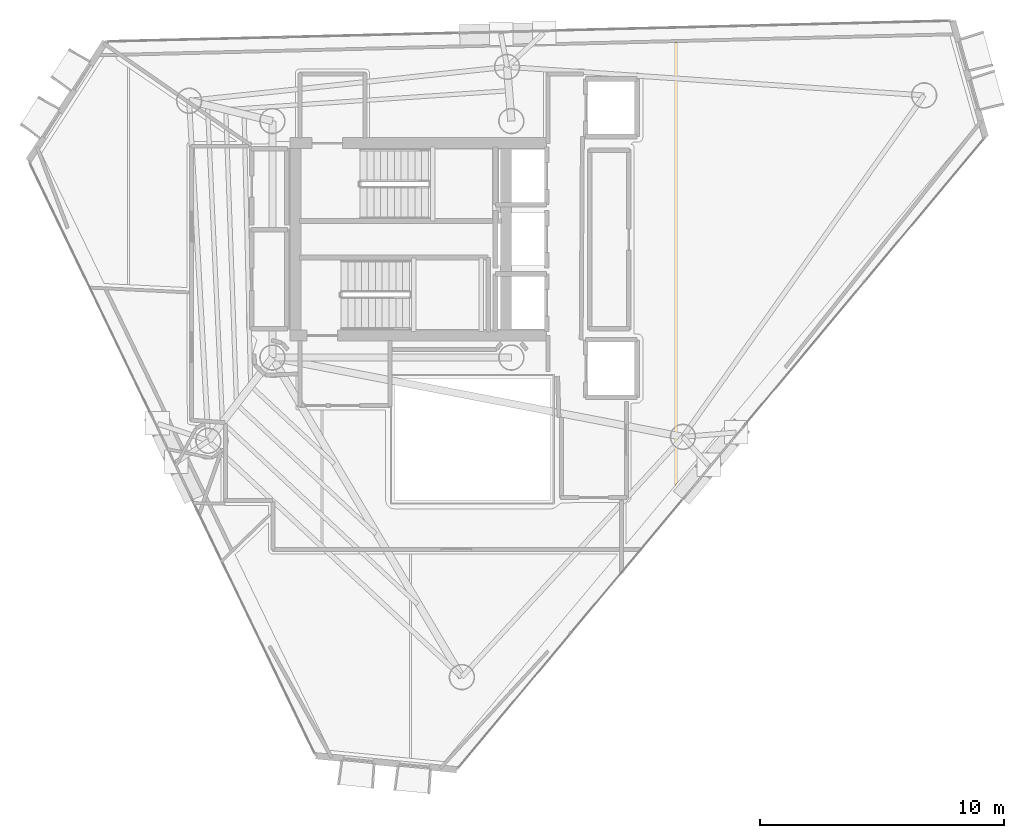
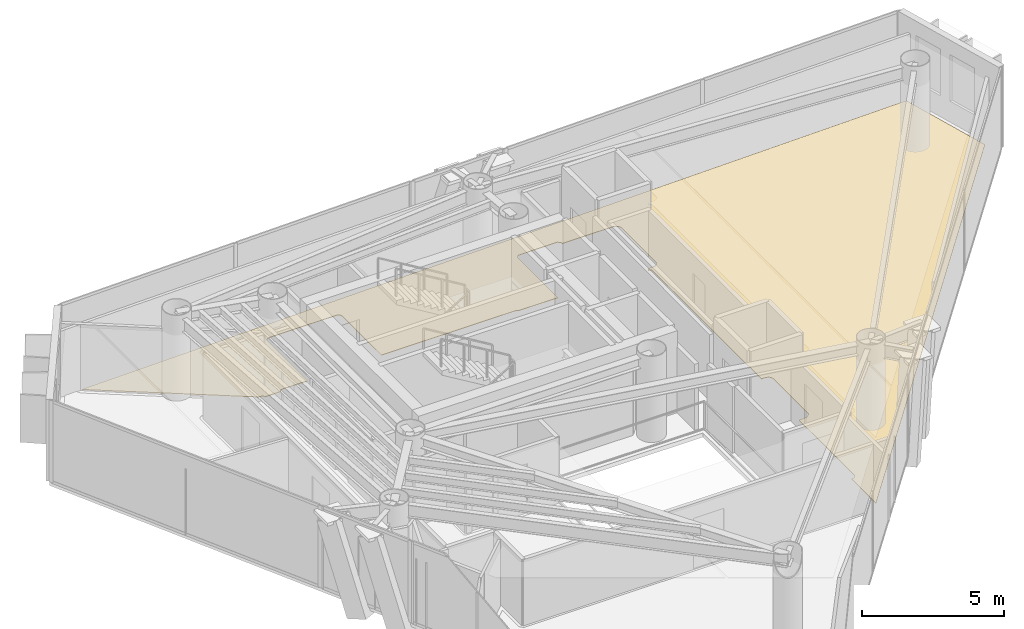
# One storey, part 19 of 20: 1 covering.
"""IFC4 building model written with IfcOpenShell, lengths in metres."""

from ifc_helpers import new_model, si_unit, direction, frame, origin, place, context, subcontext, project, spatial, polyline, outline, extrude, material, layer, layer_set, type_object, element, save


model = new_model("IFC4")

# Units and contexts
model_context = context("Model", 3, precision=1e-05, world=origin(), true_north=direction((0.0, 1.0)))
body_context = subcontext(model_context, "Body", "Model", "MODEL_VIEW")
ifc_project = project(units=[si_unit("LENGTHUNIT", "METRE"), si_unit("AREAUNIT", "SQUARE_METRE"), si_unit("VOLUMEUNIT", "CUBIC_METRE"), si_unit("PLANEANGLEUNIT", "RADIAN"), si_unit("MASSUNIT", "GRAM", prefix="KILO")], contexts=[model_context])

# Site, building, storey
site_placement = place(None, origin())
site = spatial("IfcSite", under=ifc_project, at=site_placement, CompositionType="ELEMENT")
building_placement = place(site_placement, origin())
building = spatial("IfcBuilding", under=site, at=building_placement, Name="Qianvela Tower", CompositionType="ELEMENT")
storey_placement = place(building_placement, frame((0.0, 0.0, 257.5)))
storey = spatial("IfcBuildingStorey", under=building, at=storey_placement, Name="L66", CompositionType="ELEMENT", Elevation=257.5)

# Covering
ifc_material = material(Name="Engineered Acoustic Oak Timber Flooring", Category="wood")
ifc_layer = layer(ifc_material, 0.02001953125)
ifc_layer_set = layer_set([ifc_layer], Name="Engineered Acoustic Oak Timber Flooring")
covering_type = type_object("IfcCoveringType", Name="COV-FLOOR-OAK-20", PredefinedType="FLOORING", material=ifc_layer_set)
covering_placement = place(storey_placement, origin())
element("IfcCovering", 1, at=covering_placement, inside=storey, type_object=covering_type, Name="L66 Finish Flooring Project Huddle Conference L66-02", PredefinedType="FLOORING", context=body_context, shape_type="SweptSolid", body=[
    extrude(outline(polyline([(29.5400390625, 32.700439453125), (28.54296875, 32.709716796875), (28.53662109375, 32.70947265625), (28.530029296875, 32.708740234375), (28.4677734375, 32.69921875), (28.460205078125, 32.697509765625), (28.452880859375, 32.6953125), (28.446044921875, 32.6923828125), (28.439208984375, 32.688720703125), (28.432861328125, 32.6845703125), (28.427001953125, 32.6796875), (28.42138671875, 32.674560546875), (28.41650390625, 32.668701171875), (28.412109375, 32.662353515625), (28.408447265625, 32.65576171875), (28.405517578125, 32.648681640625), (28.403076171875, 32.6416015625), (28.4013671875, 32.634033203125), (28.400390625, 32.62646484375), (28.39892578125, 32.609619140625), (27.754150390625, 32.607421875), (27.73876953125, 32.646240234375), (27.7353515625, 32.6533203125), (27.7314453125, 32.660400390625), (27.726806640625, 32.666748046875), (27.72119140625, 32.6728515625), (27.71533203125, 32.67822265625), (27.708984375, 32.68310546875), (27.7021484375, 32.68701171875), (27.69482421875, 32.6904296875), (27.6875, 32.693115234375), (27.6796875, 32.695068359375), (27.671630859375, 32.6962890625), (27.5439453125, 32.707763671875), (22.398681640625, 36.210693359375), (22.39208984375, 36.222900390625), (56.384521484375, 37.057861328125), (57.433349609375, 33.335693359375), (43.109619140625, 16.197021484375), (43.107421875, 17.923095703125), (43.183837890625, 17.92626953125), (43.19140625, 17.9267578125), (43.19873046875, 17.92822265625), (43.2060546875, 17.93017578125), (43.212890625, 17.932861328125), (43.2197265625, 17.936279296875), (43.22607421875, 17.940185546875), (43.232177734375, 17.94482421875), (43.237548828125, 17.949951171875), (43.24267578125, 17.95556640625), (43.2470703125, 17.961669921875), (43.29638671875, 18.03564453125), (43.300537109375, 18.042236328125), (43.303955078125, 18.04931640625), (43.306640625, 18.056884765625), (43.30859375, 18.064453125), (43.3095703125, 18.072265625), (43.31005859375, 18.080078125), (43.31005859375, 21.97314453125), (43.623779296875, 21.986083984375), (43.6318359375, 21.98681640625), (43.6396484375, 21.98828125), (43.647216796875, 21.990478515625), (43.654541015625, 21.99365234375), (43.66162109375, 21.997314453125), (43.668212890625, 22.001708984375), (43.67431640625, 22.006591796875), (43.679931640625, 22.01220703125), (43.776611328125, 22.118896484375), (43.781982421875, 22.12548828125), (43.78662109375, 22.132568359375), (43.790283203125, 22.139892578125), (43.79345703125, 22.14794921875), (43.79541015625, 22.156005859375), (43.796875, 22.164306640625), (43.79736328125, 22.172607421875), (43.79736328125, 24.627197265625), (43.797119140625, 24.634521484375), (43.7958984375, 24.6416015625), (43.79443359375, 24.648681640625), (43.792236328125, 24.655517578125), (43.789306640625, 24.662109375), (43.785888671875, 24.66845703125), (43.7373046875, 24.749267578125), (43.732666015625, 24.75634765625), (43.727294921875, 24.762939453125), (43.72119140625, 24.768798828125), (43.71435546875, 24.77392578125), (43.70703125, 24.778564453125), (43.699462890625, 24.781982421875), (43.624267578125, 24.813232421875), (43.616943359375, 24.81591796875), (43.609375, 24.81787109375), (43.6015625, 24.81884765625), (43.59375, 24.8193359375), (43.423828125, 24.8193359375), (43.423828125, 24.8193359375), (43.426513671875, 24.826904296875), (43.428466796875, 24.83447265625), (43.4296875, 24.84228515625), (43.429931640625, 24.85009765625), (43.429931640625, 32.5), (43.4296875, 32.5078125), (43.428466796875, 32.515625), (43.426513671875, 32.523193359375), (43.423828125, 32.530517578125), (43.420654296875, 32.53759765625), (43.41650390625, 32.54443359375), (43.411865234375, 32.55078125), (43.406494140625, 32.556640625), (43.40087890625, 32.561767578125), (43.394287109375, 32.56640625), (43.3876953125, 32.570556640625), (43.380615234375, 32.573974609375), (43.373291015625, 32.57666015625), (43.365478515625, 32.57861328125), (43.35791015625, 32.57958984375), (43.35009765625, 32.580078125), (43.298583984375, 32.580078125), (43.375, 32.680908203125), (43.622314453125, 32.68603515625), (43.6298828125, 32.6865234375), (43.63720703125, 32.687744140625), (43.644775390625, 32.689697265625), (43.65185546875, 32.6923828125), (43.65869140625, 32.695556640625), (43.6650390625, 32.699462890625), (43.732666015625, 32.74462890625), (43.739013671875, 32.749267578125), (43.744873046875, 32.754638671875), (43.75, 32.760498046875), (43.754638671875, 32.7666015625), (43.7587890625, 32.7734375), (43.76220703125, 32.780517578125), (43.793212890625, 32.855712890625), (43.7958984375, 32.863037109375), (43.7978515625, 32.87060546875), (43.798828125, 32.87841796875), (43.79931640625, 32.88623046875), (43.800048828125, 35.300048828125), (43.7998046875, 35.306884765625), (43.798828125, 35.313720703125), (43.79736328125, 35.3203125), (43.79541015625, 35.326904296875), (43.763427734375, 35.415771484375), (43.760498046875, 35.423095703125), (43.7568359375, 35.429931640625), (43.75244140625, 35.4365234375), (43.74755859375, 35.4423828125), (43.741943359375, 35.447998046875), (43.73583984375, 35.453125), (43.729248046875, 35.45751953125), (43.6484375, 35.505859375), (43.640869140625, 35.510009765625), (43.6328125, 35.51318359375), (43.62451171875, 35.515380859375), (43.615966796875, 35.516845703125), (43.607421875, 35.517333984375), (41.515625, 35.52001953125), (41.513916015625, 35.554931640625), (41.512939453125, 35.562744140625), (41.511474609375, 35.5703125), (41.509033203125, 35.577880859375), (41.506103515625, 35.585205078125), (41.50244140625, 35.591796875), (41.498046875, 35.598388671875), (41.4931640625, 35.6044921875), (41.487548828125, 35.60986328125), (41.481689453125, 35.614990234375), (41.41552734375, 35.663818359375), (41.409423828125, 35.66796875), (41.40283203125, 35.67138671875), (41.39599609375, 35.674560546875), (41.38916015625, 35.6767578125), (41.3818359375, 35.678466796875), (41.37451171875, 35.67919921875), (41.3671875, 35.6796875), (39.8349609375, 35.66650390625), (39.8271484375, 35.666015625), (39.8193359375, 35.664794921875), (39.81201171875, 35.662841796875), (39.804443359375, 35.660400390625), (39.797607421875, 35.656982421875), (39.791015625, 35.65283203125), (39.78466796875, 35.648193359375), (39.77880859375, 35.64306640625), (39.773681640625, 35.63720703125), (39.76904296875, 35.630859375), (39.764892578125, 35.624267578125), (39.7294921875, 35.5576171875), (39.72607421875, 35.550537109375), (39.723388671875, 35.543212890625), (39.721435546875, 35.53564453125), (39.720458984375, 35.52783203125), (39.719970703125, 35.52001953125), (39.719970703125, 32.719970703125), (38.125, 32.719970703125), (38.03369140625, 32.762451171875), (38.025634765625, 32.765625), (38.017333984375, 32.76806640625), (38.0087890625, 32.76953125), (38.0, 32.77001953125), (32.580078125, 32.77001953125), (32.580078125, 35.52001953125), (32.57958984375, 35.52783203125), (32.57861328125, 35.53564453125), (32.57666015625, 35.543212890625), (32.573974609375, 35.550537109375), (32.550537109375, 35.607177734375), (32.547119140625, 35.6142578125), (32.543212890625, 35.62109375), (32.538330078125, 35.627197265625), (32.533203125, 35.633056640625), (32.52734375, 35.638427734375), (32.52099609375, 35.64306640625), (32.514404296875, 35.647216796875), (32.507080078125, 35.650390625), (32.45068359375, 35.673828125), (32.443115234375, 35.676513671875), (32.435546875, 35.678466796875), (32.427734375, 35.6796875), (32.419921875, 35.679931640625), (29.699951171875, 35.679931640625), (29.692138671875, 35.6796875), (29.684326171875, 35.678466796875), (29.6767578125, 35.676513671875), (29.66943359375, 35.673828125), (29.61279296875, 35.650390625), (29.605712890625, 35.647216796875), (29.59912109375, 35.64306640625), (29.5927734375, 35.638427734375), (29.5869140625, 35.633056640625), (29.58154296875, 35.627197265625), (29.576904296875, 35.62109375), (29.572998046875, 35.6142578125), (29.569580078125, 35.607177734375), (29.546142578125, 35.550537109375), (29.54345703125, 35.543212890625), (29.54150390625, 35.53564453125), (29.540283203125, 35.52783203125), (29.5400390625, 35.52001953125), (29.5400390625, 32.700439453125)])), origin(), (0.0, 0.0, 1.0), 0.02001953125),
])

save(model, "model.ifc")
